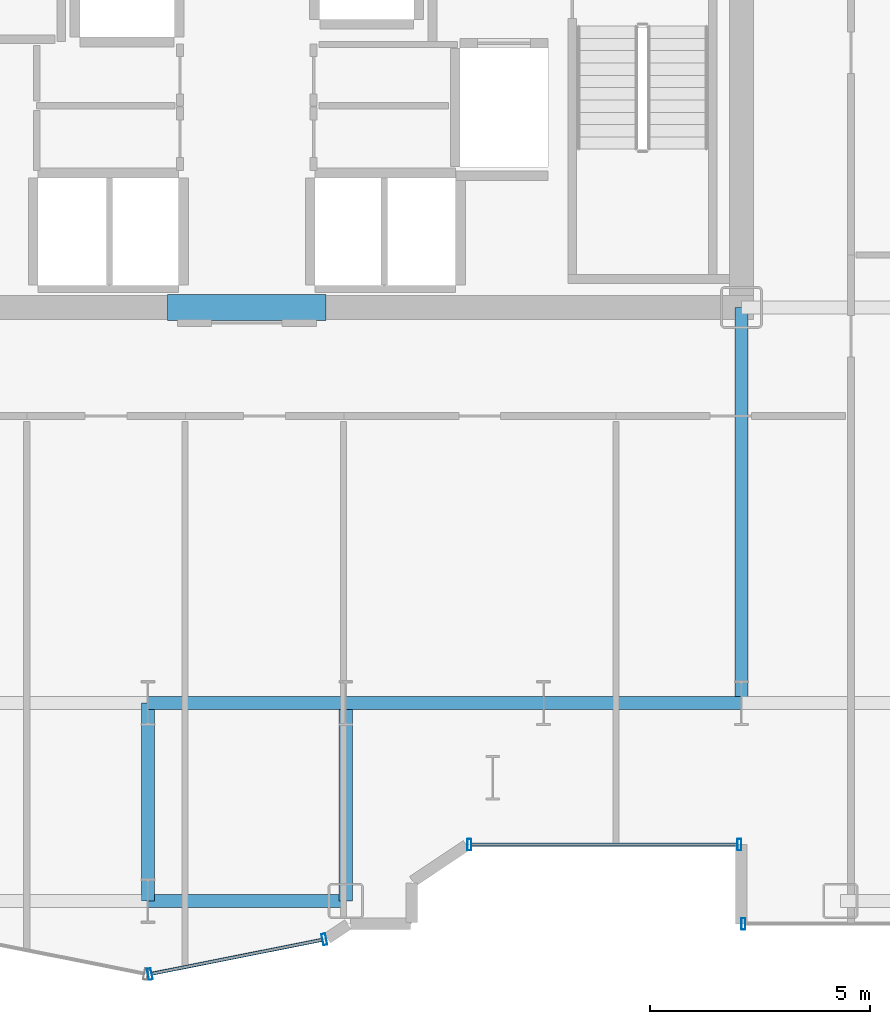
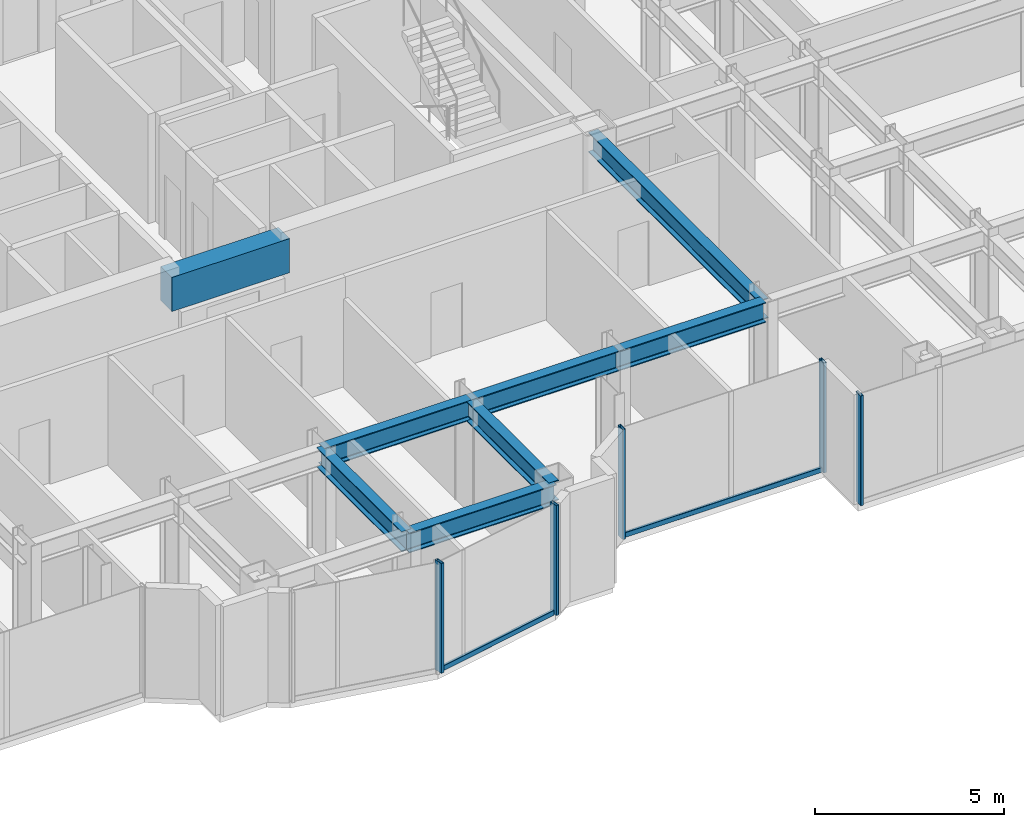
# One storey, part 6 of 26: 8 beams, 7 members, 3 elements without a shape of their own.
"""IFC4 building model written with IfcOpenShell, lengths in metres."""

from ifc_helpers import new_model, si_unit, direction, frame, origin, origin_2d, place, context, subcontext, project, spatial, rectangle, hollow_rectangle, i_section, extrude, source, transform, mapped, material, layer, layer_set, material_profile, profile_set, type_object, element, aggregate, save


model = new_model("IFC4")

# Units and contexts
model_context = context("Model", 3, precision=1e-05, world=origin(), true_north=direction((0.0, 1.0)))
body_context = subcontext(model_context, "Body", "Model", "MODEL_VIEW")
ifc_project = project(units=[si_unit("LENGTHUNIT", "METRE"), si_unit("AREAUNIT", "SQUARE_METRE"), si_unit("VOLUMEUNIT", "CUBIC_METRE"), si_unit("PLANEANGLEUNIT", "RADIAN"), si_unit("MASSUNIT", "GRAM", prefix="KILO")], contexts=[model_context])

# Site, building, storey
site_placement = place(None, origin())
site = spatial("IfcSite", under=ifc_project, at=site_placement, CompositionType="ELEMENT")
building_placement = place(site_placement, origin())
building = spatial("IfcBuilding", under=site, at=building_placement, Name="Nefas-Gora Pilgrimage Tower", CompositionType="ELEMENT")
storey_placement = place(building_placement, frame((0.0, 0.0, 121.199951171875)))
storey = spatial("IfcBuildingStorey", under=building, at=storey_placement, Name="L29", CompositionType="ELEMENT", Elevation=121.199951171875)

# Beams
ifc_material_1 = material(Name="Concrete C60/75", Category="concrete")
ifc_material_profile_1 = material_profile(ifc_material_1, rectangle(XDim=0.60009765625, YDim=1.10009765625, at=origin_2d()), Name="RC 600x1100")
ifc_profile_set_1 = profile_set([ifc_material_profile_1], Name="Concrete C60/75")
beam_type_1 = type_object("IfcBeamType", Name="BM-LIN-RC1100", PredefinedType="LINTEL", material=ifc_profile_set_1)
shared_shape_1 = source(origin(), body_context, "Body", "SweptSolid", [
    extrude(rectangle(XDim=0.60009765625, YDim=1.10009765625, at=origin_2d()), origin(), (0.0, 0.0, 1.0), 3.60009765625),
])
beam_1_placement = place(storey_placement, frame((-1.800048828125, -9.0, 3.0), z_axis=(1.0, 0.0, 0.0), x_axis=(0.0, 1.0, 0.0)))
element("IfcBeam", 1, at=beam_1_placement, inside=storey, type_object=beam_type_1, Name="L29 Core Coupling Lintel Beam S", PredefinedType="LINTEL", context=body_context, shape_type="MappedRepresentation", body=[
    mapped(shared_shape_1, transform((0.0, 0.0, 0.0), x_axis=(1.0, 0.0, 0.0), y_axis=(0.0, 1.0, 0.0), z_axis=(0.0, 0.0, 1.0), scale=1.0)),
])
ifc_material_2 = material(Name="Steel S355", Category="steel")
ifc_material_profile_2 = material_profile(ifc_material_2, i_section(OverallWidth=0.300048828125, OverallDepth=0.64990234375, WebThickness=0.01611328125, FlangeThickness=0.031005859375, FilletRadius=0.027099609375, at=origin_2d()), Name="HEB 650")
ifc_profile_set_2 = profile_set([ifc_material_profile_2], Name="Steel S355")
beam_type_2 = type_object("IfcBeamType", Name="BM-GIR-HEB650", PredefinedType="BEAM", material=ifc_profile_set_2)
shared_shape_2 = source(origin(), body_context, "Body", "SweptSolid", [
    extrude(i_section(OverallWidth=0.300048828125, OverallDepth=0.64990234375, WebThickness=0.01611328125, FlangeThickness=0.031005859375, FilletRadius=0.027099609375, at=origin_2d()), origin(), (0.0, 0.0, 1.0), 9.0),
])
beam_2_placement = place(storey_placement, frame((11.25, -18.0, 3.22509765625), z_axis=(0.0, 1.0, 0.0), x_axis=(-1.0, 0.0, 0.0)))
element("IfcBeam", 2, at=beam_2_placement, inside=storey, type_object=beam_type_2, Name="L29 G-03 beam", PredefinedType="BEAM", context=body_context, shape_type="MappedRepresentation", body=[
    mapped(shared_shape_2, transform((0.0, 0.0, 0.0), x_axis=(1.0, 0.0, 0.0), y_axis=(0.0, 1.0, 0.0), z_axis=(0.0, 0.0, 1.0), scale=1.0)),
])
shared_shape_3 = source(origin(), body_context, "Body", "SweptSolid", [
    extrude(i_section(OverallWidth=0.300048828125, OverallDepth=0.64990234375, WebThickness=0.01611328125, FlangeThickness=0.031005859375, FilletRadius=0.027099609375, at=origin_2d()), origin(), (0.0, 0.0, 1.0), 4.5),
])
for number, where, z_axis, x_axis, name in (
    (3, (-2.25, -22.5, 3.22509765625), (0.0, 1.0, 0.0), (-1.0, 0.0, 0.0), "L29 G-03 beam"),
    (4, (-2.25, -22.5, 3.22509765625), (1.0, 0.0, 0.0), (0.0, 1.0, 0.0), "L29 G-03 beam"),
    (5, (-2.25, -18.0, 3.22509765625), (1.0, 0.0, 0.0), (0.0, 1.0, 0.0), "L29 G-03 beam"),
    (6, (2.25, -22.5, 3.22509765625), (0.0, 1.0, 0.0), (-1.0, 0.0, 0.0), "L29 G-03 beam"),
    (7, (2.25, -18.0, 3.22509765625), (1.0, 0.0, 0.0), (0.0, 1.0, 0.0), "L29 G-03 beam"),
    (8, (6.75, -18.0, 3.22509765625), (1.0, 0.0, 0.0), (0.0, 1.0, 0.0), "L29 G-03 beam"),
):
    element("IfcBeam", number, at=place(storey_placement, frame(where, z_axis=z_axis, x_axis=x_axis)), inside=storey, type_object=beam_type_2, Name=name, PredefinedType="BEAM", context=body_context, shape_type="MappedRepresentation", body=[
        mapped(shared_shape_3, transform((0.0, 0.0, 0.0), x_axis=(1.0, 0.0, 0.0), y_axis=(0.0, 1.0, 0.0), z_axis=(0.0, 0.0, 1.0), scale=1.0)),
    ])

# Curtain wall, members
ifc_material_3 = material(Name="Dark ceramic-fritted solar-control aluminium-glass curtain wall", Category="aluminium")
ifc_layer_1 = layer(ifc_material_3, 0.219970703125)
ifc_layer_set_1 = layer_set([ifc_layer_1], Name="Dark ceramic-fritted solar-control aluminium-glass curtain wall")
curtain_wall_type_1 = type_object("IfcCurtainWallType", Name="CW-SYS-5", PredefinedType="NOTDEFINED", material=ifc_layer_set_1)
curtain_wall_1_placement = place(storey_placement, origin())
curtain_wall_1 = element("IfcCurtainWall", 9, at=curtain_wall_1_placement, inside=storey, type_object=curtain_wall_type_1, Name="L29 Unitised Curtain Wall CW5", PredefinedType="NOTDEFINED")
ifc_material_4 = material(Name="Anodised architectural aluminium", Category="aluminium")
ifc_material_profile_3 = material_profile(ifc_material_4, hollow_rectangle(XDim=0.090087890625, YDim=0.260009765625, WallThickness=0.006103515625, InnerFilletRadius=0.006103515625, OuterFilletRadius=0.011962890625, at=origin_2d()), Name="ALU MULLION 90x260")
ifc_profile_set_3 = profile_set([ifc_material_profile_3], Name="Anodised architectural aluminium")
member_type_1 = type_object("IfcMemberType", Name="CWM-MUL-5", PredefinedType="MULLION", material=ifc_profile_set_3)
shared_shape_4 = source(origin(), body_context, "Body", "SweptSolid", [
    extrude(hollow_rectangle(XDim=0.090087890625, YDim=0.260009765625, WallThickness=0.006103515625, InnerFilletRadius=0.006103515625, OuterFilletRadius=0.011962890625, at=origin_2d()), origin(), (0.0, 0.0, 1.0), 3.550048828125),
])
member_1_placement = place(storey_placement, frame((5.06298828125, -21.219970703125, 0.0), z_axis=(0.0, 0.0, 1.0), x_axis=(1.0, 0.0, 0.0)))
member_1 = element("IfcMember", 10, at=member_1_placement, type_object=member_type_1, Name="CW5 Mullion 1", PredefinedType="MULLION", context=body_context, shape_type="MappedRepresentation", body=[
    mapped(shared_shape_4, transform((0.0, 0.0, 0.0), x_axis=(1.0, 0.0, 0.0), y_axis=(0.0, 1.0, 0.0), z_axis=(0.0, 0.0, 1.0), scale=1.0)),
])
member_2_placement = place(storey_placement, frame((11.205078125, -21.219970703125, 0.0), z_axis=(0.0, 0.0, 1.0), x_axis=(1.0, 0.0, 0.0)))
member_2 = element("IfcMember", 11, at=member_2_placement, type_object=member_type_1, Name="CW5 Mullion 2", PredefinedType="MULLION", context=body_context, shape_type="MappedRepresentation", body=[
    mapped(shared_shape_4, transform((0.0, 0.0, 0.0), x_axis=(1.0, 0.0, 0.0), y_axis=(0.0, 1.0, 0.0), z_axis=(0.0, 0.0, 1.0), scale=1.0)),
])

curtain_wall_2_placement = place(storey_placement, origin())
curtain_wall_2 = element("IfcCurtainWall", 12, at=curtain_wall_2_placement, inside=storey, type_object=curtain_wall_type_1, Name="L29 Unitised Curtain Wall CW5", PredefinedType="NOTDEFINED")
member_3_placement = place(storey_placement, frame((-2.205810546875, -24.16357421875, 0.0), z_axis=(0.0, 0.0, 1.0), x_axis=(0.980782896852, 0.195102304554, 0.0)))
member_3 = element("IfcMember", 13, at=member_3_placement, type_object=member_type_1, Name="CW5 Mullion 1", PredefinedType="MULLION", context=body_context, shape_type="MappedRepresentation", body=[
    mapped(shared_shape_4, transform((0.0, 0.0, 0.0), x_axis=(1.0, 0.0, 0.0), y_axis=(0.0, 1.0, 0.0), z_axis=(0.0, 0.0, 1.0), scale=1.0)),
])
member_4_placement = place(storey_placement, frame((1.76318359375, -23.3740234375, 0.0), z_axis=(0.0, 0.0, 1.0), x_axis=(0.980782896852, 0.195102304554, 0.0)))
member_4 = element("IfcMember", 14, at=member_4_placement, type_object=member_type_1, Name="CW5 Mullion 2", PredefinedType="MULLION", context=body_context, shape_type="MappedRepresentation", body=[
    mapped(shared_shape_4, transform((0.0, 0.0, 0.0), x_axis=(1.0, 0.0, 0.0), y_axis=(0.0, 1.0, 0.0), z_axis=(0.0, 0.0, 1.0), scale=1.0)),
])

# Member
ifc_material_profile_4 = material_profile(ifc_material_4, hollow_rectangle(XDim=0.080078125, YDim=0.159912109375, WallThickness=0.00439453125, InnerFilletRadius=0.00439453125, OuterFilletRadius=0.009033203125, at=origin_2d()), Name="ALU TRANSOM 80x160")
ifc_profile_set_4 = profile_set([ifc_material_profile_4], Name="Anodised architectural aluminium")
member_type_2 = type_object("IfcMemberType", Name="CWM-TRN-5", PredefinedType="USERDEFINED", material=ifc_profile_set_4)
shared_shape_5 = source(origin(), body_context, "Body", "SweptSolid", [
    extrude(hollow_rectangle(XDim=0.080078125, YDim=0.159912109375, WallThickness=0.00439453125, InnerFilletRadius=0.00439453125, OuterFilletRadius=0.009033203125, at=origin_2d()), origin(), (0.0, 0.0, 1.0), 6.052001953125),
])
member_5_placement = place(storey_placement, frame((5.10791015625, -21.219970703125, 0.050048828125), z_axis=(1.0, 0.0, 0.0), x_axis=(0.0, 1.0, 0.0)))
member_5 = element("IfcMember", 15, at=member_5_placement, type_object=member_type_2, Name="CW5 Spandrel Transom", ObjectType="TRANSOM", PredefinedType="USERDEFINED", context=body_context, shape_type="MappedRepresentation", body=[
    mapped(shared_shape_5, transform((0.0, 0.0, 0.0), x_axis=(1.0, 0.0, 0.0), y_axis=(0.0, 1.0, 0.0), z_axis=(0.0, 0.0, 1.0), scale=1.0)),
])

aggregate(curtain_wall_1, [member_1, member_2, member_5])

# Curtain wall, member
ifc_layer_2 = layer(ifc_material_3, 0.219970703125)
ifc_layer_set_2 = layer_set([ifc_layer_2], Name="Dark ceramic-fritted solar-control aluminium-glass curtain wall")
curtain_wall_type_2 = type_object("IfcCurtainWallType", Name="CW-SYS-2", PredefinedType="NOTDEFINED", material=ifc_layer_set_2)
curtain_wall_3_placement = place(storey_placement, origin())
curtain_wall_3 = element("IfcCurtainWall", 16, at=curtain_wall_3_placement, inside=storey, type_object=curtain_wall_type_2, Name="L29 Unitised Curtain Wall CW2", PredefinedType="NOTDEFINED")
ifc_material_profile_5 = material_profile(ifc_material_4, hollow_rectangle(XDim=0.090087890625, YDim=0.260009765625, WallThickness=0.006103515625, InnerFilletRadius=0.006103515625, OuterFilletRadius=0.011962890625, at=origin_2d()), Name="ALU MULLION 90x260")
ifc_profile_set_5 = profile_set([ifc_material_profile_5], Name="Anodised architectural aluminium")
member_type_3 = type_object("IfcMemberType", Name="CWM-MUL-2", PredefinedType="MULLION", material=ifc_profile_set_5)
shared_shape_6 = source(origin(), body_context, "Body", "SweptSolid", [
    extrude(hollow_rectangle(XDim=0.090087890625, YDim=0.260009765625, WallThickness=0.006103515625, InnerFilletRadius=0.006103515625, OuterFilletRadius=0.011962890625, at=origin_2d()), origin(), (0.0, 0.0, 1.0), 3.550048828125),
])
member_6_placement = place(storey_placement, frame((11.294921875, -23.02001953125, 0.0), z_axis=(0.0, 0.0, 1.0), x_axis=(1.0, 0.0, 0.0)))
member_6 = element("IfcMember", 17, at=member_6_placement, type_object=member_type_3, Name="CW2 Mullion 1", PredefinedType="MULLION", context=body_context, shape_type="MappedRepresentation", body=[
    mapped(shared_shape_6, transform((0.0, 0.0, 0.0), x_axis=(1.0, 0.0, 0.0), y_axis=(0.0, 1.0, 0.0), z_axis=(0.0, 0.0, 1.0), scale=1.0)),
])
aggregate(curtain_wall_3, [member_6])

# Member
shared_shape_7 = source(origin(), body_context, "Body", "SweptSolid", [
    extrude(hollow_rectangle(XDim=0.080078125, YDim=0.159912109375, WallThickness=0.00439453125, InnerFilletRadius=0.00439453125, OuterFilletRadius=0.009033203125, at=origin_2d()), origin(), (0.0, 0.0, 1.0), 3.95654296875),
])
member_7_placement = place(storey_placement, frame((-2.16162109375, -24.15478515625, 0.050048828125), z_axis=(0.980781880918, 0.195107411605, 0.0), x_axis=(-0.195107411605, 0.980781880918, 0.0)))
member_7 = element("IfcMember", 18, at=member_7_placement, type_object=member_type_2, Name="CW5 Spandrel Transom", ObjectType="TRANSOM", PredefinedType="USERDEFINED", context=body_context, shape_type="MappedRepresentation", body=[
    mapped(shared_shape_7, transform((0.0, 0.0, 0.0), x_axis=(1.0, 0.0, 0.0), y_axis=(0.0, 1.0, 0.0), z_axis=(0.0, 0.0, 1.0), scale=1.0)),
])

aggregate(curtain_wall_2, [member_3, member_4, member_7])

save(model, "model.ifc")
